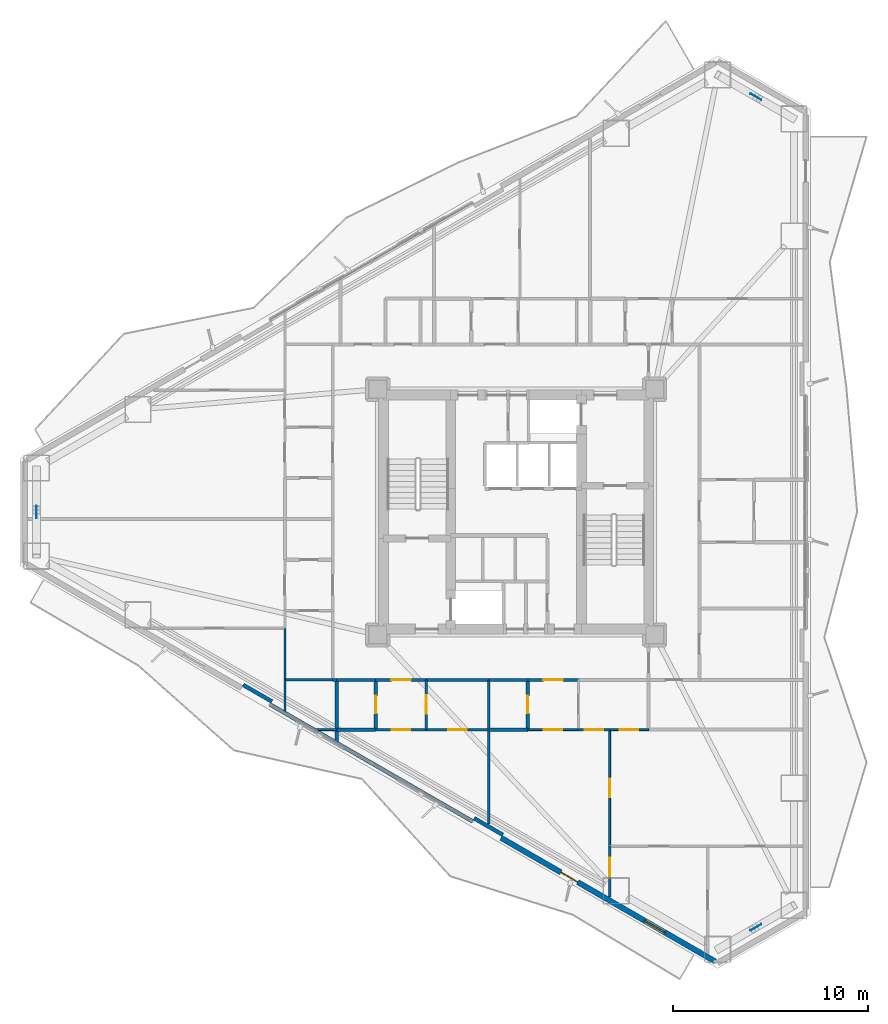
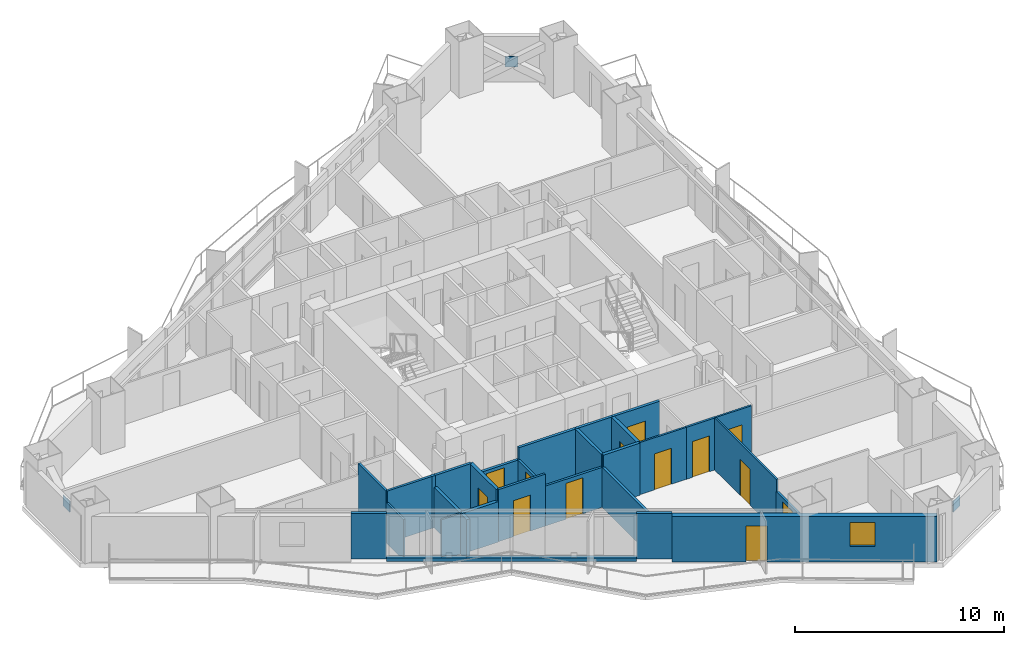
# One storey, part 11 of 18: 29 walls, 13 doors, 3 plates, 1 window, 14 openings.
"""IFC4 building model written with IfcOpenShell, lengths in metres."""

from ifc_helpers import new_model, si_unit, direction, frame, frame_2d, origin, origin_2d, place, context, subcontext, project, spatial, rectangle, extrude, material, layer, layer_set, type_object, element, fill, save


model = new_model("IFC4")

# Units and contexts
model_context = context("Model", 3, precision=1e-05, world=origin(), true_north=direction((0.0, 1.0)))
body_context = subcontext(model_context, "Body", "Model", "MODEL_VIEW")
ifc_project = project(units=[si_unit("LENGTHUNIT", "METRE"), si_unit("AREAUNIT", "SQUARE_METRE"), si_unit("VOLUMEUNIT", "CUBIC_METRE"), si_unit("PLANEANGLEUNIT", "RADIAN"), si_unit("MASSUNIT", "GRAM", prefix="KILO")], contexts=[model_context])

# Site, building, storey
site_placement = place(None, origin())
site = spatial("IfcSite", under=ifc_project, at=site_placement, CompositionType="ELEMENT")
building_placement = place(site_placement, origin())
building = spatial("IfcBuilding", under=site, at=building_placement, Name="Mersakhor Tower and Convention Hall", CompositionType="ELEMENT")
storey_placement = place(building_placement, frame((0.0, 0.0, 55.5)))
storey = spatial("IfcBuildingStorey", under=building, at=storey_placement, Name="L15", CompositionType="ELEMENT", Elevation=55.5)

# Plates
ifc_material_1 = material(Name="Steel S460", Category="steel")
ifc_layer_1 = layer(ifc_material_1, 0.0400390625)
ifc_layer_set_1 = layer_set([ifc_layer_1], Name="Steel S460")
plate_type = type_object("IfcPlateType", Name="PL-GUSSET-40", PredefinedType="SHEET", material=ifc_layer_set_1)
for number, where, z_axis, x_axis, name in (
    (1, (41.29345703125, 48.04296875, 1.2001953125), (0.0, 0.0, 1.0), (-0.866025403784, 0.5, 0.0), "L15 X-Brace Crossing Gusset Node Plate"),
    (2, (41.29345703125, 5.45703125, 1.2001953125), (0.0, 0.0, 1.0), (0.866025403784, 0.5, 0.0), "L15 X-Brace Crossing Gusset Node Plate"),
    (3, (4.4130859375, 26.75, 1.2001953125), (0.0, 0.0, 1.0), (0.0, -1.0, 0.0), "L15 X-Brace Crossing Gusset Node Plate"),
):
    element("IfcPlate", number, at=place(storey_placement, frame(where, z_axis=z_axis, x_axis=x_axis)), inside=storey, type_object=plate_type, Name=name, PredefinedType="SHEET", context=body_context, shape_type="SweptSolid", body=[
        extrude(rectangle(XDim=0.639892578125, YDim=0.0400390625, at=origin_2d()), origin(), (0.0, 0.0, 1.0), 0.639892578125),
    ])

# Wall, openings, door, window
ifc_material_2 = material(Name="Precast concrete C45/55", Category="concrete")
ifc_layer_2 = layer(ifc_material_2, 0.27490234375)
ifc_layer_set_2 = layer_set([ifc_layer_2], Name="Precast concrete C45/55")
wall_type_1 = type_object("IfcWallType", Name="WL-EXT-275", PredefinedType="SOLIDWALL", material=ifc_layer_set_2)
wall_1_placement = place(storey_placement, frame((39.20703125, 3.709716796875, 0.0), z_axis=(0.0, 0.0, 1.0), x_axis=(-0.86603192154, 0.499988710747, 0.0)))
wall_1 = element("IfcWall", 4, at=wall_1_placement, inside=storey, type_object=wall_type_1, Name="L15 Exterior Facade Wall F3-B1", PredefinedType="SOLIDWALL", context=body_context, shape_type="SweptSolid", body=[
    extrude(rectangle(XDim=12.673095703125, YDim=0.27490234375, at=frame_2d((6.33642578125, 0.0))), origin(), (0.0, 0.0, 1.0), 2.659912109375),
])
opening_1_placement = place(wall_1_placement, frame((8.135986328125, 0.0, 0.0)))
opening_1 = element("IfcOpeningElement", 5, at=opening_1_placement, cuts=wall_1, Name="Opening BD-01", PredefinedType="OPENING", context=body_context, shape_type="SweptSolid", body=[
    extrude(rectangle(XDim=1.0, YDim=2.10009765625, at=frame_2d((0.5, 1.050048828125))), frame((0.0, 0.1474609375, 0.0), z_axis=(0.0, -1.0, 0.0), x_axis=(1.0, 0.0, 0.0)), (0.0, 0.0, 1.0), 0.294921875),
])
opening_2_placement = place(wall_1_placement, frame((2.970947265625, 0.0, 0.89990234375)))
opening_2 = element("IfcOpeningElement", 6, at=opening_2_placement, cuts=wall_1, Name="Opening W-01", PredefinedType="OPENING", context=body_context, shape_type="SweptSolid", body=[
    extrude(rectangle(XDim=1.199951171875, YDim=1.39990234375, at=frame_2d((0.60009765625, 0.699951171875))), frame((0.0, 0.1474609375, 0.0), z_axis=(0.0, -1.0, 0.0), x_axis=(1.0, 0.0, 0.0)), (0.0, 0.0, 1.0), 0.294921875),
])
ifc_material_3 = material(Name="Thermally broken dark aluminium and safety glass", Category="aluminium")
door_type_1 = type_object("IfcDoorType", Name="DR-BAL-100x210", OperationType="NOTDEFINED", PredefinedType="DOOR", material=ifc_material_3)
door_1_placement = place(opening_1_placement, origin())
door_1 = element("IfcDoor", 7, at=door_1_placement, inside=storey, type_object=door_type_1, Name="L15 Balcony Terrace Door F3-B1", OperationType="SINGLE_SWING_LEFT", OverallHeight=2.10009765625, OverallWidth=1.0, PredefinedType="DOOR", context=body_context, shape_type="SweptSolid", body=[
    extrude(rectangle(XDim=1.0, YDim=2.10009765625, at=frame_2d((0.5, 1.050048828125))), frame((0.0, 0.02490234375, 0.0), z_axis=(0.0, -1.0, 0.0), x_axis=(1.0, 0.0, 0.0)), (0.0, 0.0, 1.0), 0.050048828125),
])
fill(opening_1, door_1)
ifc_material_4 = material(Name="Dark solar low-E glazed aluminium window", Category="aluminium")
window_type = type_object("IfcWindowType", Name="WN-RES-120x150", PartitioningType="SINGLE_PANEL", PredefinedType="WINDOW", material=ifc_material_4)
window_placement = place(opening_2_placement, origin())
window = element("IfcWindow", 8, at=window_placement, inside=storey, type_object=window_type, Name="L15 Bedroom Facade Window F3-B1-1", OverallHeight=1.39990234375, OverallWidth=1.199951171875, PartitioningType="SINGLE_PANEL", PredefinedType="WINDOW", context=body_context, shape_type="SweptSolid", body=[
    extrude(rectangle(XDim=1.199951171875, YDim=1.39990234375, at=frame_2d((0.60009765625, 0.699951171875))), frame((0.0, 0.030029296875, 0.0), z_axis=(0.0, -1.0, 0.0), x_axis=(1.0, 0.0, 0.0)), (0.0, 0.0, 1.0), 0.06005859375),
])
fill(opening_2, window)

# Walls
ifc_material_5 = material(Name="Precast concrete C40/50", Category="concrete")
ifc_layer_3 = layer(ifc_material_5, 0.199951171875)
ifc_layer_set_3 = layer_set([ifc_layer_3], Name="Precast concrete C40/50")
wall_type_2 = type_object("IfcWallType", Name="WL-PAR-200", PredefinedType="PARAPET", material=ifc_layer_set_3)
wall_2_placement = place(storey_placement, frame((26.759521484375, 10.896240234375, 0.0), z_axis=(0.0, 0.0, 1.0), x_axis=(-0.866027351828, 0.499996625875, 0.0)))
element("IfcWall", 9, at=wall_2_placement, inside=storey, type_object=wall_type_2, Name="L15 Curtain Wall Upstand Sill F3-B2", PredefinedType="PARAPET", context=body_context, shape_type="SweptSolid", body=[
    extrude(rectangle(XDim=11.97314453125, YDim=0.199951171875, at=frame_2d((5.986572265625, 0.0))), origin(), (0.0, 0.0, 1.0), 0.199951171875),
])
for number, where, z_axis, x_axis, name in (
    (10, (28.32177734375, 10.2021484375, 0.0), (0.0, 0.0, 1.0), (-0.86605165483, 0.499954529098, 0.0), "L15 Column Pier Cladding Wall F3-C1"),
    (11, (16.48046875, 17.038818359375, 0.0), (0.0, 0.0, 1.0), (-0.86605165483, 0.499954529098, 0.0), "L15 Column Pier Cladding Wall F3-C2"),
):
    element("IfcWall", number, at=place(storey_placement, frame(where, z_axis=z_axis, x_axis=x_axis)), inside=storey, type_object=wall_type_2, Name=name, PredefinedType="PARAPET", context=body_context, shape_type="SweptSolid", body=[
        extrude(rectangle(XDim=1.699951171875, YDim=0.199951171875, at=frame_2d((0.85009765625, 0.0))), origin(), (0.0, 0.0, 1.0), 2.659912109375),
    ])

# Wall, opening, door
ifc_material_6 = material(Name="Moisture-resistant acoustic drywall studwork", Category="other")
ifc_layer_4 = layer(ifc_material_6, 0.175048828125)
ifc_layer_set_4 = layer_set([ifc_layer_4], Name="Moisture-resistant acoustic drywall studwork")
wall_type_3 = type_object("IfcWallType", Name="WL-PLM-175", PredefinedType="PLUMBINGWALL", material=ifc_layer_set_4)
wall_3_placement = place(storey_placement, frame((21.800048828125, 15.60009765625, 0.0), z_axis=(0.0, 0.0, 1.0), x_axis=(0.0, 1.0, 0.0)))
wall_3 = element("IfcWall", 12, at=wall_3_placement, inside=storey, type_object=wall_type_3, Name="L15 Interior Partition Wall P-078", PredefinedType="PLUMBINGWALL", context=body_context, shape_type="SweptSolid", body=[
    extrude(rectangle(XDim=2.5498046875, YDim=0.175048828125, at=frame_2d((1.27490234375, 0.0))), origin(), (0.0, 0.0, 1.0), 3.0400390625),
])
opening_3_placement = place(wall_3_placement, frame((0.824951171875, 0.0, 0.0)))
opening_3 = element("IfcOpeningElement", 13, at=opening_3_placement, cuts=wall_3, Name="Opening WD-01", PredefinedType="OPENING", context=body_context, shape_type="SweptSolid", body=[
    extrude(rectangle(XDim=0.89990234375, YDim=2.10009765625, at=frame_2d((0.449951171875, 1.050048828125))), frame((0.0, 0.097412109375, 0.0), z_axis=(0.0, -1.0, 0.0), x_axis=(1.0, 0.0, 0.0)), (0.0, 0.0, 1.0), 0.195068359375),
])
ifc_material_7 = material(Name="Solid-core hardwood leaf in painted steel frame", Category="steel")
door_type_2 = type_object("IfcDoorType", Name="DR-INT-WET-090x210", OperationType="NOTDEFINED", PredefinedType="DOOR", material=ifc_material_7)
door_2_placement = place(opening_3_placement, origin())
door_2 = element("IfcDoor", 14, at=door_2_placement, inside=storey, type_object=door_type_2, Name="L15 L15 Flat S4 Apartment Hall to L15 Flat S4 Bathroom Door", OperationType="SINGLE_SWING_RIGHT", OverallHeight=2.10009765625, OverallWidth=0.89990234375, PredefinedType="DOOR", context=body_context, shape_type="SweptSolid", body=[
    extrude(rectangle(XDim=0.89990234375, YDim=2.10009765625, at=frame_2d((0.449951171875, 1.050048828125))), frame((0.0, 0.02490234375, 0.0), z_axis=(0.0, -1.0, 0.0), x_axis=(1.0, 0.0, 0.0)), (0.0, 0.0, 1.0), 0.050048828125),
])
fill(opening_3, door_2)

wall_4_placement = place(storey_placement, frame((29.60009765625, 15.60009765625, 0.0), z_axis=(0.0, 0.0, 1.0), x_axis=(0.0, 1.0, 0.0)))
wall_4 = element("IfcWall", 15, at=wall_4_placement, inside=storey, type_object=wall_type_3, Name="L15 Interior Partition Wall P-081", PredefinedType="PLUMBINGWALL", context=body_context, shape_type="SweptSolid", body=[
    extrude(rectangle(XDim=2.5498046875, YDim=0.175048828125, at=frame_2d((1.27490234375, 0.0))), origin(), (0.0, 0.0, 1.0), 3.0400390625),
])
opening_4_placement = place(wall_4_placement, frame((0.824951171875, 0.0, 0.0)))
opening_4 = element("IfcOpeningElement", 16, at=opening_4_placement, cuts=wall_4, Name="Opening WD-01", PredefinedType="OPENING", context=body_context, shape_type="SweptSolid", body=[
    extrude(rectangle(XDim=0.89990234375, YDim=2.10009765625, at=frame_2d((0.449951171875, 1.050048828125))), frame((0.0, 0.097412109375, 0.0), z_axis=(0.0, -1.0, 0.0), x_axis=(1.0, 0.0, 0.0)), (0.0, 0.0, 1.0), 0.195068359375),
])
door_3_placement = place(opening_4_placement, origin())
door_3 = element("IfcDoor", 17, at=door_3_placement, inside=storey, type_object=door_type_2, Name="L15 L15 Flat S5 Apartment Hall to L15 Flat S5 Bathroom Door", OperationType="SINGLE_SWING_LEFT", OverallHeight=2.10009765625, OverallWidth=0.89990234375, PredefinedType="DOOR", context=body_context, shape_type="SweptSolid", body=[
    extrude(rectangle(XDim=0.89990234375, YDim=2.10009765625, at=frame_2d((0.449951171875, 1.050048828125))), frame((0.0, 0.02490234375, 0.0), z_axis=(0.0, -1.0, 0.0), x_axis=(1.0, 0.0, 0.0)), (0.0, 0.0, 1.0), 0.050048828125),
])
fill(opening_4, door_3)

# Walls
wall_5_placement = place(storey_placement, frame((21.800048828125, 15.60009765625, 0.0), z_axis=(0.0, 0.0, 1.0), x_axis=(-1.0, 0.0, 0.0)))
element("IfcWall", 18, at=wall_5_placement, inside=storey, type_object=wall_type_3, Name="L15 Interior Partition Wall P-103", PredefinedType="PLUMBINGWALL", context=body_context, shape_type="SweptSolid", body=[
    extrude(rectangle(XDim=2.0, YDim=0.175048828125, at=frame_2d((1.0, 0.0))), origin(), (0.0, 0.0, 1.0), 2.364990234375),
])
wall_6_placement = place(storey_placement, frame((19.800048828125, 14.955810546875, 0.0), z_axis=(0.0, 0.0, 1.0), x_axis=(0.0, 1.0, 0.0)))
element("IfcWall", 19, at=wall_6_placement, inside=storey, type_object=wall_type_3, Name="L15 Interior Partition Wall P-104", PredefinedType="PLUMBINGWALL", context=body_context, shape_type="SweptSolid", body=[
    extrude(rectangle(XDim=3.194091796875, YDim=0.175048828125, at=frame_2d((1.59716796875, 0.0))), origin(), (0.0, 0.0, 1.0), 2.364990234375),
])
wall_7_placement = place(storey_placement, frame((29.60009765625, 15.60009765625, 0.0), z_axis=(0.0, 0.0, 1.0), x_axis=(-1.0, 0.0, 0.0)))
element("IfcWall", 20, at=wall_7_placement, inside=storey, type_object=wall_type_3, Name="L15 Interior Partition Wall P-107", PredefinedType="PLUMBINGWALL", context=body_context, shape_type="SweptSolid", body=[
    extrude(rectangle(XDim=2.0, YDim=0.175048828125, at=frame_2d((1.0, 0.0))), origin(), (0.0, 0.0, 1.0), 3.0400390625),
])

# Wall, opening, door
ifc_material_8 = material(Name="Lightweight gypsum partition", Category="other")
ifc_layer_5 = layer(ifc_material_8, 0.10009765625)
ifc_layer_set_5 = layer_set([ifc_layer_5], Name="Lightweight gypsum partition")
wall_type_4 = type_object("IfcWallType", Name="WL-PRT-100", PredefinedType="PARTITIONING", material=ifc_layer_set_5)
wall_8_placement = place(storey_placement, frame((32.199951171875, 15.60009765625, 0.0), z_axis=(0.0, 0.0, 1.0), x_axis=(-1.0, 0.0, 0.0)))
wall_8 = element("IfcWall", 21, at=wall_8_placement, inside=storey, type_object=wall_type_4, Name="L15 Interior Partition Wall P-080", PredefinedType="PARTITIONING", context=body_context, shape_type="SweptSolid", body=[
    extrude(rectangle(XDim=2.599853515625, YDim=0.10009765625, at=frame_2d((1.2998046875, 0.0))), origin(), (0.0, 0.0, 1.0), 3.0400390625),
])
opening_5_placement = place(wall_8_placement, frame((0.824951171875, 0.0, 0.0)))
opening_5 = element("IfcOpeningElement", 22, at=opening_5_placement, cuts=wall_8, Name="Opening RD-01", PredefinedType="OPENING", context=body_context, shape_type="SweptSolid", body=[
    extrude(rectangle(XDim=0.949951171875, YDim=2.10009765625, at=frame_2d((0.47509765625, 1.050048828125))), frame((0.0, 0.06005859375, 0.0), z_axis=(0.0, -1.0, 0.0), x_axis=(1.0, 0.0, 0.0)), (0.0, 0.0, 1.0), 0.1201171875),
])
ifc_material_9 = material(Name="Solid-core hardwood leaf in painted steel frame", Category="steel")
door_type_3 = type_object("IfcDoorType", Name="DR-INT-RM-095x210", OperationType="NOTDEFINED", PredefinedType="DOOR", material=ifc_material_9)
door_4_placement = place(opening_5_placement, origin())
door_4 = element("IfcDoor", 23, at=door_4_placement, inside=storey, type_object=door_type_3, Name="L15 L15 Flat S5 Apartment Hall to L15 Flat S5 Living and Dining Room Door", OperationType="SINGLE_SWING_LEFT", OverallHeight=2.10009765625, OverallWidth=0.949951171875, PredefinedType="DOOR", context=body_context, shape_type="SweptSolid", body=[
    extrude(rectangle(XDim=0.949951171875, YDim=2.10009765625, at=frame_2d((0.47509765625, 1.050048828125))), frame((0.0, 0.02490234375, 0.0), z_axis=(0.0, -1.0, 0.0), x_axis=(1.0, 0.0, 0.0)), (0.0, 0.0, 1.0), 0.050048828125),
])
fill(opening_5, door_4)

wall_9_placement = place(storey_placement, frame((35.800048828125, 15.60009765625, 0.0), z_axis=(0.0, 0.0, 1.0), x_axis=(-1.0, 0.0, 0.0)))
wall_9 = element("IfcWall", 24, at=wall_9_placement, inside=storey, type_object=wall_type_4, Name="L15 Interior Partition Wall P-108", PredefinedType="PARTITIONING", context=body_context, shape_type="SweptSolid", body=[
    extrude(rectangle(XDim=2.0, YDim=0.10009765625, at=frame_2d((1.0, 0.0))), origin(), (0.0, 0.0, 1.0), 3.0400390625),
])
opening_6_placement = place(wall_9_placement, frame((0.52490234375, 0.0, 0.0)))
opening_6 = element("IfcOpeningElement", 25, at=opening_6_placement, cuts=wall_9, Name="Opening RD-01", PredefinedType="OPENING", context=body_context, shape_type="SweptSolid", body=[
    extrude(rectangle(XDim=0.949951171875, YDim=2.10009765625, at=frame_2d((0.47509765625, 1.050048828125))), frame((0.0, 0.06005859375, 0.0), z_axis=(0.0, -1.0, 0.0), x_axis=(1.0, 0.0, 0.0)), (0.0, 0.0, 1.0), 0.1201171875),
])
door_5_placement = place(opening_6_placement, origin())
door_5 = element("IfcDoor", 26, at=door_5_placement, inside=storey, type_object=door_type_3, Name="L15 L15 Flat S5 Kitchen to L15 Flat S5 Dining Room Door", OperationType="SINGLE_SWING_RIGHT", OverallHeight=2.10009765625, OverallWidth=0.949951171875, PredefinedType="DOOR", context=body_context, shape_type="SweptSolid", body=[
    extrude(rectangle(XDim=0.949951171875, YDim=2.10009765625, at=frame_2d((0.47509765625, 1.050048828125))), frame((0.0, 0.02490234375, 0.0), z_axis=(0.0, -1.0, 0.0), x_axis=(1.0, 0.0, 0.0)), (0.0, 0.0, 1.0), 0.050048828125),
])
fill(opening_6, door_5)

# Wall
wall_10_placement = place(storey_placement, frame((18.677734375, 15.60009765625, 0.0), z_axis=(0.0, 0.0, 1.0), x_axis=(1.0, 0.0, 0.0)))
element("IfcWall", 27, at=wall_10_placement, inside=storey, type_object=wall_type_4, Name="L15 Interior Partition Wall P-132", PredefinedType="PARTITIONING", context=body_context, shape_type="SweptSolid", body=[
    extrude(rectangle(XDim=1.122314453125, YDim=0.10009765625, at=frame_2d((0.56103515625, 0.0))), origin(), (0.0, 0.0, 1.0), 2.364990234375),
])

# Wall, opening, door
wall_11_placement = place(storey_placement, frame((33.800048828125, 15.60009765625, 0.0), z_axis=(0.0, 0.0, 1.0), x_axis=(0.0, -1.0, 0.0)))
wall_11 = element("IfcWall", 28, at=wall_11_placement, inside=storey, type_object=wall_type_4, Name="L15 Interior Partition Wall P-134", PredefinedType="PARTITIONING", context=body_context, shape_type="SweptSolid", body=[
    extrude(rectangle(XDim=5.97998046875, YDim=0.10009765625, at=frame_2d((2.989990234375, 0.0))), origin(), (0.0, 0.0, 1.0), 3.0400390625),
])
opening_7_placement = place(wall_11_placement, frame((2.514892578125, 0.0, 0.0)))
opening_7 = element("IfcOpeningElement", 29, at=opening_7_placement, cuts=wall_11, Name="Opening RD-01", PredefinedType="OPENING", context=body_context, shape_type="SweptSolid", body=[
    extrude(rectangle(XDim=0.949951171875, YDim=2.10009765625, at=frame_2d((0.47509765625, 1.050048828125))), frame((0.0, 0.06005859375, 0.0), z_axis=(0.0, -1.0, 0.0), x_axis=(1.0, 0.0, 0.0)), (0.0, 0.0, 1.0), 0.1201171875),
])
door_6_placement = place(opening_7_placement, origin())
door_6 = element("IfcDoor", 30, at=door_6_placement, inside=storey, type_object=door_type_3, Name="L15 L15 Flat S5 Living and Dining Room to L15 Flat S5 Dining Room Door", OperationType="SINGLE_SWING_RIGHT", OverallHeight=2.10009765625, OverallWidth=0.949951171875, PredefinedType="DOOR", context=body_context, shape_type="SweptSolid", body=[
    extrude(rectangle(XDim=0.949951171875, YDim=2.10009765625, at=frame_2d((0.47509765625, 1.050048828125))), frame((0.0, 0.02490234375, 0.0), z_axis=(0.0, -1.0, 0.0), x_axis=(1.0, 0.0, 0.0)), (0.0, 0.0, 1.0), 0.050048828125),
])
fill(opening_7, door_6)

# Wall
wall_12_placement = place(storey_placement, frame((17.14990234375, 18.14990234375, 0.0), z_axis=(0.0, 0.0, 1.0), x_axis=(0.0, -1.0, 0.0)))
element("IfcWall", 31, at=wall_12_placement, inside=storey, type_object=wall_type_4, Name="L15 Interior Partition Wall P-146", PredefinedType="PARTITIONING", context=body_context, shape_type="SweptSolid", body=[
    extrude(rectangle(XDim=1.6640625, YDim=0.10009765625, at=frame_2d((0.83203125, 0.0))), origin(), (0.0, 0.0, 1.0), 2.364990234375),
])

# Wall, opening, door
ifc_material_10 = material(Name="Gypsum board acoustic partition", Category="other")
ifc_layer_6 = layer(ifc_material_10, 0.125)
ifc_layer_set_6 = layer_set([ifc_layer_6], Name="Gypsum board acoustic partition")
wall_type_5 = type_object("IfcWallType", Name="WL-PRT-125", PredefinedType="PARTITIONING", material=ifc_layer_set_6)
wall_13_placement = place(storey_placement, frame((24.39990234375, 15.60009765625, 0.0), z_axis=(0.0, 0.0, 1.0), x_axis=(-1.0, 0.0, 0.0)))
wall_13 = element("IfcWall", 32, at=wall_13_placement, inside=storey, type_object=wall_type_5, Name="L15 Interior Partition Wall P-077", PredefinedType="PARTITIONING", context=body_context, shape_type="SweptSolid", body=[
    extrude(rectangle(XDim=2.599853515625, YDim=0.125, at=frame_2d((1.2998046875, 0.0))), origin(), (0.0, 0.0, 1.0), 3.0400390625),
])
opening_8_placement = place(wall_13_placement, frame((0.824951171875, 0.0, 0.0)))
opening_8 = element("IfcOpeningElement", 33, at=opening_8_placement, cuts=wall_13, Name="Opening RD-01", PredefinedType="OPENING", context=body_context, shape_type="SweptSolid", body=[
    extrude(rectangle(XDim=0.949951171875, YDim=2.10009765625, at=frame_2d((0.47509765625, 1.050048828125))), frame((0.0, 0.072509765625, 0.0), z_axis=(0.0, -1.0, 0.0), x_axis=(1.0, 0.0, 0.0)), (0.0, 0.0, 1.0), 0.14501953125),
])
door_7_placement = place(opening_8_placement, origin())
door_7 = element("IfcDoor", 34, at=door_7_placement, inside=storey, type_object=door_type_3, Name="L15 L15 Flat S4 Apartment Hall to L15 Flat S4 Studio Living and Sleeping Room Door", OperationType="SINGLE_SWING_RIGHT", OverallHeight=2.10009765625, OverallWidth=0.949951171875, PredefinedType="DOOR", context=body_context, shape_type="SweptSolid", body=[
    extrude(rectangle(XDim=0.949951171875, YDim=2.10009765625, at=frame_2d((0.47509765625, 1.050048828125))), frame((0.0, 0.02490234375, 0.0), z_axis=(0.0, -1.0, 0.0), x_axis=(1.0, 0.0, 0.0)), (0.0, 0.0, 1.0), 0.050048828125),
])
fill(opening_8, door_7)

wall_14_placement = place(storey_placement, frame((24.39990234375, 18.14990234375, 0.0), z_axis=(0.0, 0.0, 1.0), x_axis=(0.0, -1.0, 0.0)))
wall_14 = element("IfcWall", 35, at=wall_14_placement, inside=storey, type_object=wall_type_5, Name="L15 Interior Partition Wall P-079", PredefinedType="PARTITIONING", context=body_context, shape_type="SweptSolid", body=[
    extrude(rectangle(XDim=2.5498046875, YDim=0.125, at=frame_2d((1.27490234375, 0.0))), origin(), (0.0, 0.0, 1.0), 2.33740234375),
])
opening_9_placement = place(wall_14_placement, frame((0.800048828125, 0.0, 0.0)))
opening_9 = element("IfcOpeningElement", 36, at=opening_9_placement, cuts=wall_14, Name="Opening RD-01", PredefinedType="OPENING", context=body_context, shape_type="SweptSolid", body=[
    extrude(rectangle(XDim=0.949951171875, YDim=2.10009765625, at=frame_2d((0.47509765625, 1.050048828125))), frame((0.0, 0.072509765625, 0.0), z_axis=(0.0, -1.0, 0.0), x_axis=(1.0, 0.0, 0.0)), (0.0, 0.0, 1.0), 0.14501953125),
])
door_8_placement = place(opening_9_placement, origin())
door_8 = element("IfcDoor", 37, at=door_8_placement, inside=storey, type_object=door_type_3, Name="L15 L15 Flat S4 Apartment Hall to L15 Flat S4 Kitchen Door", OperationType="SINGLE_SWING_LEFT", OverallHeight=2.10009765625, OverallWidth=0.949951171875, PredefinedType="DOOR", context=body_context, shape_type="SweptSolid", body=[
    extrude(rectangle(XDim=0.949951171875, YDim=2.10009765625, at=frame_2d((0.47509765625, 1.050048828125))), frame((0.0, 0.02490234375, 0.0), z_axis=(0.0, -1.0, 0.0), x_axis=(1.0, 0.0, 0.0)), (0.0, 0.0, 1.0), 0.050048828125),
])
fill(opening_9, door_8)

wall_15_placement = place(storey_placement, frame((27.60009765625, 15.60009765625, 0.0), z_axis=(0.0, 0.0, 1.0), x_axis=(-1.0, 0.0, 0.0)))
wall_15 = element("IfcWall", 38, at=wall_15_placement, inside=storey, type_object=wall_type_5, Name="L15 Interior Partition Wall P-105", PredefinedType="PARTITIONING", context=body_context, shape_type="SweptSolid", body=[
    extrude(rectangle(XDim=3.2001953125, YDim=0.125, at=frame_2d((1.60009765625, 0.0))), origin(), (0.0, 0.0, 1.0), 2.33740234375),
])
opening_10_placement = place(wall_15_placement, frame((1.125, 0.0, 0.0)))
opening_10 = element("IfcOpeningElement", 39, at=opening_10_placement, cuts=wall_15, Name="Opening RD-01", PredefinedType="OPENING", context=body_context, shape_type="SweptSolid", body=[
    extrude(rectangle(XDim=0.949951171875, YDim=2.10009765625, at=frame_2d((0.47509765625, 1.050048828125))), frame((0.0, 0.072509765625, 0.0), z_axis=(0.0, -1.0, 0.0), x_axis=(1.0, 0.0, 0.0)), (0.0, 0.0, 1.0), 0.14501953125),
])
door_9_placement = place(opening_10_placement, origin())
door_9 = element("IfcDoor", 40, at=door_9_placement, inside=storey, type_object=door_type_3, Name="L15 L15 Flat S4 Kitchen to L15 Flat S4 Studio Living and Sleeping Room Door", OperationType="SINGLE_SWING_RIGHT", OverallHeight=2.10009765625, OverallWidth=0.949951171875, PredefinedType="DOOR", context=body_context, shape_type="SweptSolid", body=[
    extrude(rectangle(XDim=0.949951171875, YDim=2.10009765625, at=frame_2d((0.47509765625, 1.050048828125))), frame((0.0, 0.02490234375, 0.0), z_axis=(0.0, -1.0, 0.0), x_axis=(1.0, 0.0, 0.0)), (0.0, 0.0, 1.0), 0.050048828125),
])
fill(opening_10, door_9)

wall_16_placement = place(storey_placement, frame((33.800048828125, 15.60009765625, 0.0), z_axis=(0.0, 0.0, 1.0), x_axis=(-1.0, 0.0, 0.0)))
wall_16 = element("IfcWall", 41, at=wall_16_placement, inside=storey, type_object=wall_type_5, Name="L15 Interior Partition Wall P-109", PredefinedType="PARTITIONING", context=body_context, shape_type="SweptSolid", body=[
    extrude(rectangle(XDim=1.60009765625, YDim=0.125, at=frame_2d((0.800048828125, 0.0))), origin(), (0.0, 0.0, 1.0), 3.0400390625),
])
opening_11_placement = place(wall_16_placement, frame((0.324951171875, 0.0, 0.0)))
opening_11 = element("IfcOpeningElement", 42, at=opening_11_placement, cuts=wall_16, Name="Opening RD-01", PredefinedType="OPENING", context=body_context, shape_type="SweptSolid", body=[
    extrude(rectangle(XDim=0.949951171875, YDim=2.10009765625, at=frame_2d((0.47509765625, 1.050048828125))), frame((0.0, 0.072509765625, 0.0), z_axis=(0.0, -1.0, 0.0), x_axis=(1.0, 0.0, 0.0)), (0.0, 0.0, 1.0), 0.14501953125),
])
door_10_placement = place(opening_11_placement, origin())
door_10 = element("IfcDoor", 43, at=door_10_placement, inside=storey, type_object=door_type_3, Name="L15 L15 Flat S5 Kitchen to L15 Flat S5 Living and Dining Room Door", OperationType="SINGLE_SWING_LEFT", OverallHeight=2.10009765625, OverallWidth=0.949951171875, PredefinedType="DOOR", context=body_context, shape_type="SweptSolid", body=[
    extrude(rectangle(XDim=0.949951171875, YDim=2.10009765625, at=frame_2d((0.47509765625, 1.050048828125))), frame((0.0, 0.02490234375, 0.0), z_axis=(0.0, -1.0, 0.0), x_axis=(1.0, 0.0, 0.0)), (0.0, 0.0, 1.0), 0.050048828125),
])
fill(opening_11, door_10)

# Walls
wall_17_placement = place(storey_placement, frame((17.14990234375, 18.14990234375, 0.0), z_axis=(0.0, 0.0, 1.0), x_axis=(0.0, 1.0, 0.0)))
element("IfcWall", 44, at=wall_17_placement, inside=storey, type_object=wall_type_5, Name="L15 Interior Partition Wall P-117", PredefinedType="PARTITIONING", context=body_context, shape_type="SweptSolid", body=[
    extrude(rectangle(XDim=2.650146484375, YDim=0.125, at=frame_2d((1.3251953125, 0.0))), origin(), (0.0, 0.0, 1.0), 3.0400390625),
])
wall_18_placement = place(storey_placement, frame((19.60009765625, 18.14990234375, 0.0), z_axis=(0.0, 0.0, 1.0), x_axis=(-1.0, 0.0, 0.0)))
element("IfcWall", 45, at=wall_18_placement, inside=storey, type_object=wall_type_5, Name="L15 Interior Partition Wall P-119", PredefinedType="PARTITIONING", context=body_context, shape_type="SweptSolid", body=[
    extrude(rectangle(XDim=2.4501953125, YDim=0.125, at=frame_2d((1.22509765625, 0.0))), origin(), (0.0, 0.0, 1.0), 3.0400390625),
])

# Wall, opening, door
wall_19_placement = place(storey_placement, frame((33.800048828125, 9.6201171875, 0.0), z_axis=(0.0, 0.0, 1.0), x_axis=(0.0, -1.0, 0.0)))
wall_19 = element("IfcWall", 46, at=wall_19_placement, inside=storey, type_object=wall_type_5, Name="L15 Interior Partition Wall P-135", PredefinedType="PARTITIONING", context=body_context, shape_type="SweptSolid", body=[
    extrude(rectangle(XDim=2.602294921875, YDim=0.125, at=frame_2d((1.30126953125, 0.0))), origin(), (0.0, 0.0, 1.0), 2.33740234375),
])
opening_12_placement = place(wall_19_placement, frame((0.602294921875, 0.0, 0.0)))
opening_12 = element("IfcOpeningElement", 47, at=opening_12_placement, cuts=wall_19, Name="Opening RD-01", PredefinedType="OPENING", context=body_context, shape_type="SweptSolid", body=[
    extrude(rectangle(XDim=0.949951171875, YDim=2.10009765625, at=frame_2d((0.47509765625, 1.050048828125))), frame((0.0, 0.072509765625, 0.0), z_axis=(0.0, -1.0, 0.0), x_axis=(1.0, 0.0, 0.0)), (0.0, 0.0, 1.0), 0.14501953125),
])
door_11_placement = place(opening_12_placement, origin())
door_11 = element("IfcDoor", 48, at=door_11_placement, inside=storey, type_object=door_type_3, Name="L15 L15 Flat S5 Living and Dining Room to L15 Flat S5 Bedroom 1 Door", OperationType="SINGLE_SWING_LEFT", OverallHeight=2.10009765625, OverallWidth=0.949951171875, PredefinedType="DOOR", context=body_context, shape_type="SweptSolid", body=[
    extrude(rectangle(XDim=0.949951171875, YDim=2.10009765625, at=frame_2d((0.47509765625, 1.050048828125))), frame((0.0, 0.02490234375, 0.0), z_axis=(0.0, -1.0, 0.0), x_axis=(1.0, 0.0, 0.0)), (0.0, 0.0, 1.0), 0.050048828125),
])
fill(opening_12, door_11)

ifc_material_11 = material(Name="Fire-rated gypsum board stud partition", Category="other")
ifc_layer_7 = layer(ifc_material_11, 0.14990234375)
ifc_layer_set_7 = layer_set([ifc_layer_7], Name="Fire-rated gypsum board stud partition")
wall_type_6 = type_object("IfcWallType", Name="WL-PRT-150", PredefinedType="PARTITIONING", material=ifc_layer_set_7)
wall_20_placement = place(storey_placement, frame((32.199951171875, 18.14990234375, 0.0), z_axis=(0.0, 0.0, 1.0), x_axis=(-1.0, 0.0, 0.0)))
wall_20 = element("IfcWall", 49, at=wall_20_placement, inside=storey, type_object=wall_type_6, Name="L15 Interior Partition Wall P-027", PredefinedType="PARTITIONING", context=body_context, shape_type="SweptSolid", body=[
    extrude(rectangle(XDim=2.599853515625, YDim=0.14990234375, at=frame_2d((1.2998046875, 0.0))), origin(), (0.0, 0.0, 1.0), 3.0400390625),
])
opening_13_placement = place(wall_20_placement, frame((0.800048828125, 0.0, 0.0)))
opening_13 = element("IfcOpeningElement", 50, at=opening_13_placement, cuts=wall_20, Name="Opening FD-01", PredefinedType="OPENING", context=body_context, shape_type="SweptSolid", body=[
    extrude(rectangle(XDim=1.0, YDim=2.14990234375, at=frame_2d((0.5, 1.074951171875))), frame((0.0, 0.0849609375, 0.0), z_axis=(0.0, -1.0, 0.0), x_axis=(1.0, 0.0, 0.0)), (0.0, 0.0, 1.0), 0.169921875),
])
ifc_material_12 = material(Name="Fire-rated hardwood leaf and painted steel frame", Category="steel")
door_type_4 = type_object("IfcDoorType", Name="DR-INT-FLT-100x215", OperationType="NOTDEFINED", PredefinedType="DOOR", material=ifc_material_12)
door_12_placement = place(opening_13_placement, origin())
door_12 = element("IfcDoor", 51, at=door_12_placement, inside=storey, type_object=door_type_4, Name="L15 Apartment Entrance Door (Residential Ring Corridor to L15 Flat S5 Apartment Hall)", OperationType="SINGLE_SWING_RIGHT", OverallHeight=2.14990234375, OverallWidth=1.0, PredefinedType="DOOR", context=body_context, shape_type="SweptSolid", body=[
    extrude(rectangle(XDim=1.0, YDim=2.14990234375, at=frame_2d((0.5, 1.074951171875))), frame((0.0, 0.02490234375, 0.0), z_axis=(0.0, -1.0, 0.0), x_axis=(1.0, 0.0, 0.0)), (0.0, 0.0, 1.0), 0.050048828125),
])
fill(opening_13, door_12)

# Walls
wall_21_placement = place(storey_placement, frame((29.60009765625, 18.14990234375, 0.0), z_axis=(0.0, 0.0, 1.0), x_axis=(-1.0, 0.0, 0.0)))
element("IfcWall", 52, at=wall_21_placement, inside=storey, type_object=wall_type_6, Name="L15 Interior Partition Wall P-028", PredefinedType="PARTITIONING", context=body_context, shape_type="SweptSolid", body=[
    extrude(rectangle(XDim=2.0, YDim=0.14990234375, at=frame_2d((1.0, 0.0))), origin(), (0.0, 0.0, 1.0), 3.0400390625),
])
wall_22_placement = place(storey_placement, frame((27.60009765625, 18.14990234375, 0.0), z_axis=(0.0, 0.0, 1.0), x_axis=(-1.0, 0.0, 0.0)))
element("IfcWall", 53, at=wall_22_placement, inside=storey, type_object=wall_type_6, Name="L15 Interior Partition Wall P-029", PredefinedType="PARTITIONING", context=body_context, shape_type="SweptSolid", body=[
    extrude(rectangle(XDim=3.2001953125, YDim=0.14990234375, at=frame_2d((1.60009765625, 0.0))), origin(), (0.0, 0.0, 1.0), 3.0400390625),
])

# Wall, opening, door
wall_23_placement = place(storey_placement, frame((24.39990234375, 18.14990234375, 0.0), z_axis=(0.0, 0.0, 1.0), x_axis=(-1.0, 0.0, 0.0)))
wall_23 = element("IfcWall", 54, at=wall_23_placement, inside=storey, type_object=wall_type_6, Name="L15 Interior Partition Wall P-030", PredefinedType="PARTITIONING", context=body_context, shape_type="SweptSolid", body=[
    extrude(rectangle(XDim=2.599853515625, YDim=0.14990234375, at=frame_2d((1.2998046875, 0.0))), origin(), (0.0, 0.0, 1.0), 2.33740234375),
])
opening_14_placement = place(wall_23_placement, frame((0.800048828125, 0.0, 0.0)))
opening_14 = element("IfcOpeningElement", 55, at=opening_14_placement, cuts=wall_23, Name="Opening FD-01", PredefinedType="OPENING", context=body_context, shape_type="SweptSolid", body=[
    extrude(rectangle(XDim=1.0, YDim=2.14990234375, at=frame_2d((0.5, 1.074951171875))), frame((0.0, 0.0849609375, 0.0), z_axis=(0.0, -1.0, 0.0), x_axis=(1.0, 0.0, 0.0)), (0.0, 0.0, 1.0), 0.169921875),
])
door_13_placement = place(opening_14_placement, origin())
door_13 = element("IfcDoor", 56, at=door_13_placement, inside=storey, type_object=door_type_4, Name="L15 Apartment Entrance Door (Residential Ring Corridor to L15 Flat S4 Apartment Hall)", OperationType="SINGLE_SWING_LEFT", OverallHeight=2.14990234375, OverallWidth=1.0, PredefinedType="DOOR", context=body_context, shape_type="SweptSolid", body=[
    extrude(rectangle(XDim=1.0, YDim=2.14990234375, at=frame_2d((0.5, 1.074951171875))), frame((0.0, 0.02490234375, 0.0), z_axis=(0.0, -1.0, 0.0), x_axis=(1.0, 0.0, 0.0)), (0.0, 0.0, 1.0), 0.050048828125),
])
fill(opening_14, door_13)

# Walls
wall_24_placement = place(storey_placement, frame((21.800048828125, 18.14990234375, 0.0), z_axis=(0.0, 0.0, 1.0), x_axis=(-1.0, 0.0, 0.0)))
element("IfcWall", 57, at=wall_24_placement, inside=storey, type_object=wall_type_6, Name="L15 Interior Partition Wall P-031", PredefinedType="PARTITIONING", context=body_context, shape_type="SweptSolid", body=[
    extrude(rectangle(XDim=2.0, YDim=0.14990234375, at=frame_2d((1.0, 0.0))), origin(), (0.0, 0.0, 1.0), 3.0400390625),
])
wall_25_placement = place(storey_placement, frame((19.800048828125, 18.14990234375, 0.0), z_axis=(0.0, 0.0, 1.0), x_axis=(-1.0, 0.0, 0.0)))
element("IfcWall", 58, at=wall_25_placement, inside=storey, type_object=wall_type_6, Name="L15 Interior Partition Wall P-032", PredefinedType="PARTITIONING", context=body_context, shape_type="SweptSolid", body=[
    extrude(rectangle(XDim=0.199951171875, YDim=0.14990234375, at=frame_2d((0.10009765625, 0.0))), origin(), (0.0, 0.0, 1.0), 3.0400390625),
])
wall_26_placement = place(storey_placement, frame((27.60009765625, 18.14990234375, 0.0), z_axis=(0.0, 0.0, 1.0), x_axis=(0.0, -1.0, 0.0)))
element("IfcWall", 59, at=wall_26_placement, inside=storey, type_object=wall_type_6, Name="L15 Interior Partition Wall P-106", PredefinedType="PARTITIONING", context=body_context, shape_type="SweptSolid", body=[
    extrude(rectangle(XDim=2.5498046875, YDim=0.14990234375, at=frame_2d((1.27490234375, 0.0))), origin(), (0.0, 0.0, 1.0), 3.0400390625),
])
wall_27_placement = place(storey_placement, frame((27.60009765625, 15.60009765625, 0.0), z_axis=(0.0, 0.0, 1.0), x_axis=(0.0, -1.0, 0.0)))
element("IfcWall", 60, at=wall_27_placement, inside=storey, type_object=wall_type_6, Name="L15 Interior Partition Wall P-133", PredefinedType="PARTITIONING", context=body_context, shape_type="SweptSolid", body=[
    extrude(rectangle(XDim=4.838134765625, YDim=0.14990234375, at=frame_2d((2.4189453125, 0.0))), origin(), (0.0, 0.0, 1.0), 2.33740234375),
])

save(model, "model.ifc")
